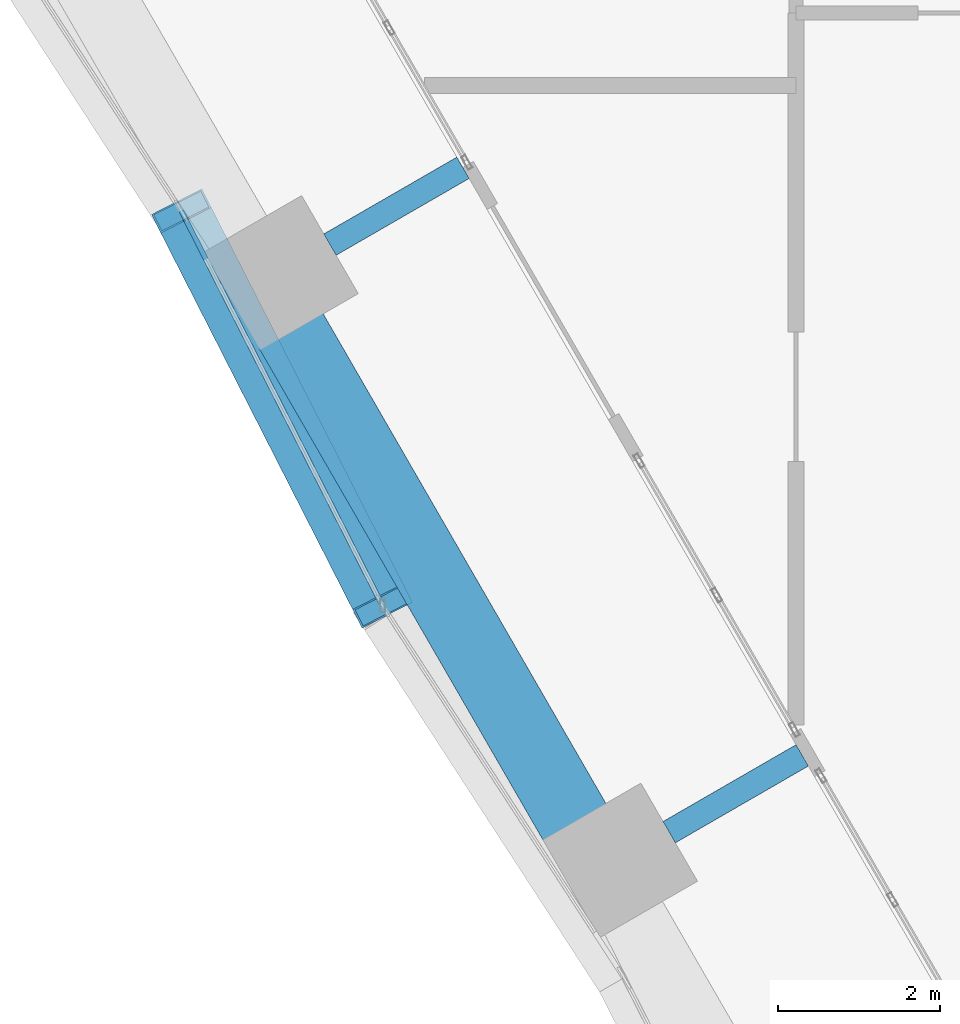
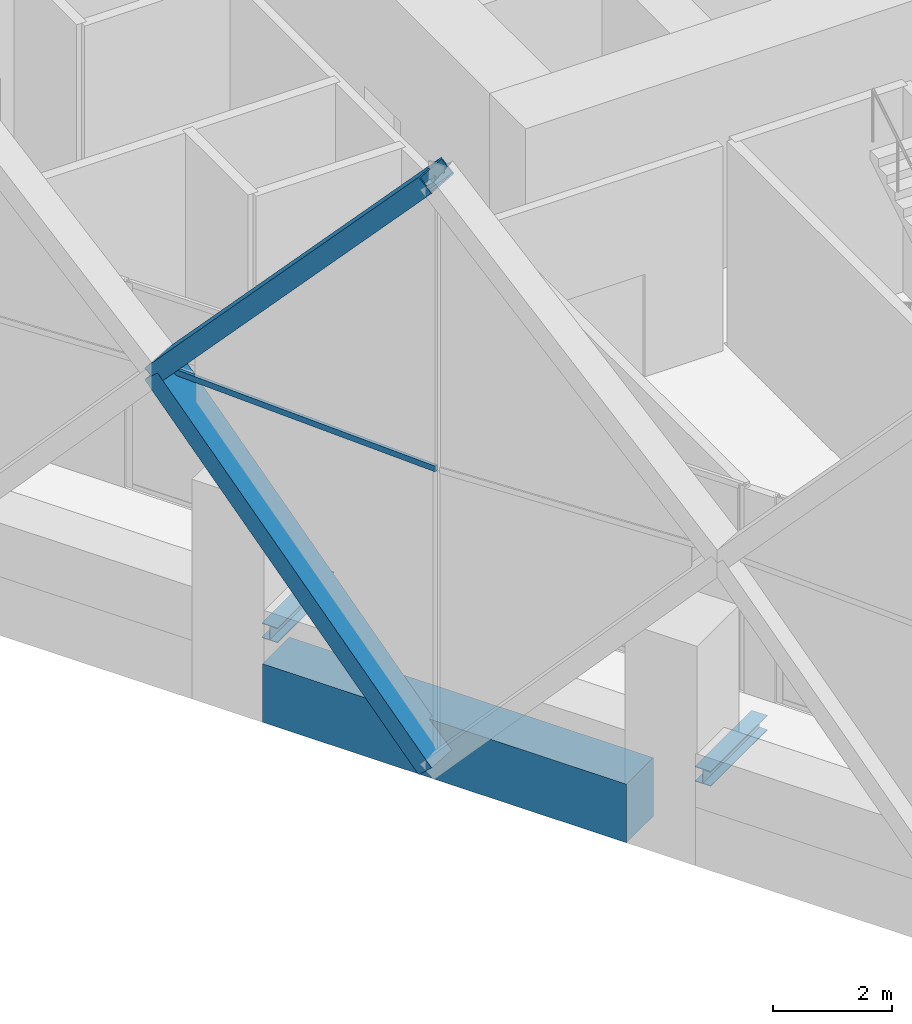
# One storey, part 6 of 46: 3 beams, 3 members, 1 element without a shape of its own.
"""IFC4 building model written with IfcOpenShell, lengths in metres."""

from ifc_helpers import new_model, si_unit, direction, frame, origin, origin_2d, place, context, subcontext, project, spatial, rectangle, hollow_rectangle, i_section, extrude, material, material_profile, profile_set, type_object, element, aggregate, save


model = new_model("IFC4")

# Units and contexts
model_context = context("Model", 3, precision=1e-05, world=origin(), true_north=direction((0.0, 1.0)))
body_context = subcontext(model_context, "Body", "Model", "MODEL_VIEW")
ifc_project = project(units=[si_unit("LENGTHUNIT", "METRE"), si_unit("AREAUNIT", "SQUARE_METRE"), si_unit("VOLUMEUNIT", "CUBIC_METRE"), si_unit("PLANEANGLEUNIT", "RADIAN"), si_unit("MASSUNIT", "GRAM", prefix="KILO")], contexts=[model_context])

# Site, building, storey
site_placement = place(None, origin())
site = spatial("IfcSite", under=ifc_project, at=site_placement, CompositionType="ELEMENT")
building_placement = place(site_placement, origin())
building = spatial("IfcBuilding", under=site, at=building_placement, Name="Ostrander Bayou Hotel Tower", CompositionType="ELEMENT")
storey_placement = place(building_placement, frame((0.0, 0.0, 23.5)))
storey = spatial("IfcBuildingStorey", under=building, at=storey_placement, Name="L05", CompositionType="ELEMENT", Elevation=23.5)

# Curtain wall, member
ifc_material_1 = material(Name="Aluminium and clear glass", Category="aluminium")
curtain_wall_type = type_object("IfcCurtainWallType", Name="CW-LAT lattice glazing", PredefinedType="NOTDEFINED", material=ifc_material_1)
curtain_wall_placement = place(storey_placement, origin())
curtain_wall = element("IfcCurtainWall", 1, at=curtain_wall_placement, inside=storey, type_object=curtain_wall_type, Name="CW-LAT L05 SW 2", PredefinedType="NOTDEFINED")
ifc_material_2 = material(Name="Aluminium", Category="aluminium")
ifc_material_profile_1 = material_profile(ifc_material_2, hollow_rectangle(XDim=0.06005859375, YDim=0.1201171875, WallThickness=0.00390625, at=origin_2d()))
ifc_profile_set_1 = profile_set([ifc_material_profile_1], Name="Aluminium")
member_type_1 = type_object("IfcMemberType", Name="CW-LA transom 60 x 120 mm", PredefinedType="USERDEFINED", material=ifc_profile_set_1)
member_placement = place(storey_placement, frame((-19.11328125, -11.034912109375, 5.39990234375), z_axis=(-0.453987151201, 0.891008230346, 0.0), x_axis=(-0.891008230346, -0.453987151201, 0.0)))
member = element("IfcMember", 2, at=member_placement, type_object=member_type_1, Name="CW-LAT transom 6", ObjectType="TRANSOM", PredefinedType="USERDEFINED", context=body_context, shape_type="SweptSolid", body=[
    extrude(hollow_rectangle(XDim=0.06005859375, YDim=0.1201171875, WallThickness=0.00390625, at=origin_2d()), origin(), (0.0, 0.0, 1.0), 5.482666015625),
])
aggregate(curtain_wall, [member])

# Beams
ifc_material_3 = material(Name="Steel ASTM A992", Category="steel")
ifc_material_profile_2 = material_profile(ifc_material_3, i_section(OverallWidth=0.3046875, OverallDepth=0.307861328125, WebThickness=0.010009765625, FlangeThickness=0.015380859375, at=origin_2d()))
ifc_profile_set_2 = profile_set([ifc_material_profile_2], Name="Steel ASTM A992")
beam_type_1 = type_object("IfcBeamType", Name="LB1 loggia bracket W12x65", PredefinedType="BEAM", material=ifc_profile_set_2)
beam_1_placement = place(storey_placement, frame((-19.7646484375, -6.566650390625, -0.453857421875), z_axis=(0.866044365799, 0.499967155389, 0.0), x_axis=(-0.499967155389, 0.866044365799, 0.0)))
element("IfcBeam", 3, at=beam_1_placement, inside=storey, type_object=beam_type_1, Name="LB1 L05 SW1", PredefinedType="BEAM", context=body_context, shape_type="SweptSolid", body=[
    extrude(i_section(OverallWidth=0.3046875, OverallDepth=0.307861328125, WebThickness=0.010009765625, FlangeThickness=0.015380859375, at=origin_2d()), origin(), (0.0, 0.0, 1.0), 1.900146484375),
])
beam_2_placement = place(storey_placement, frame((-15.569091796875, -13.833251953125, -0.453857421875), z_axis=(0.86601224135, 0.500022797313, 0.0), x_axis=(-0.500022797313, 0.86601224135, 0.0)))
element("IfcBeam", 4, at=beam_2_placement, inside=storey, type_object=beam_type_1, Name="LB1 L05 SW2", PredefinedType="BEAM", context=body_context, shape_type="SweptSolid", body=[
    extrude(i_section(OverallWidth=0.3046875, OverallDepth=0.307861328125, WebThickness=0.010009765625, FlangeThickness=0.015380859375, at=origin_2d()), origin(), (0.0, 0.0, 1.0), 1.89990234375),
])

# Members
ifc_material_4 = material(Name="Steel ASTM A572 Gr 50", Category="steel")
ifc_material_profile_3 = material_profile(ifc_material_4, hollow_rectangle(XDim=0.699951171875, YDim=0.35009765625, WallThickness=0.02490234375, at=origin_2d()))
ifc_profile_set_3 = profile_set([ifc_material_profile_3], Name="Steel ASTM A572 Gr 50")
member_type_2 = type_object("IfcMemberType", Name="LT1 lattice member box 700 x 350 x 25 mm", PredefinedType="BRACE", material=ifc_profile_set_3)
for number, where, z_axis, x_axis, name in (
    (5, (-21.602294921875, -6.14990234375, 5.39990234375), (0.306240691735, -0.601036782828, -0.738221798929), (0.891008230346, 0.453987151201, 0.0), "LT1 L05 SW 3"),
    (6, (-21.602294921875, -6.14990234375, 5.39990234375), (0.306240691735, -0.601036782828, 0.738221798929), (0.891008230346, 0.453987151201, 0.0), "LT1 L05 SW 4"),
):
    element("IfcMember", number, at=place(storey_placement, frame(where, z_axis=z_axis, x_axis=x_axis)), inside=storey, type_object=member_type_2, Name=name, PredefinedType="BRACE", context=body_context, shape_type="SweptSolid", body=[
        extrude(hollow_rectangle(XDim=0.699951171875, YDim=0.35009765625, WallThickness=0.02490234375, at=origin_2d()), origin(), (0.0, 0.0, 1.0), 8.127685546875),
    ])

# Beam
ifc_material_5 = material(Name="Concrete f'c 70 MPa", Category="concrete")
ifc_material_profile_4 = material_profile(ifc_material_5, rectangle(XDim=0.89990234375, YDim=1.199951171875, at=origin_2d()))
ifc_profile_set_4 = profile_set([ifc_material_profile_4], Name="Concrete f'c 70 MPa")
beam_type_2 = type_object("IfcBeamType", Name="SP1 spandrel beam 900 x 1200 mm f'c 70 MPa", PredefinedType="SPANDREL", material=ifc_profile_set_4)
beam_3_placement = place(storey_placement, frame((-20.252197265625, -7.621826171875, -0.60009765625), z_axis=(0.499997206141, -0.866027016814, 0.0), x_axis=(0.866027016814, 0.499997206141, 0.0)))
element("IfcBeam", 7, at=beam_3_placement, inside=storey, type_object=beam_type_2, Name="SP1 L05 SW-2", PredefinedType="SPANDREL", context=body_context, shape_type="SweptSolid", body=[
    extrude(rectangle(XDim=0.89990234375, YDim=1.199951171875, at=origin_2d()), origin(), (0.0, 0.0, 1.0), 7.05078125),
])

save(model, "model.ifc")
